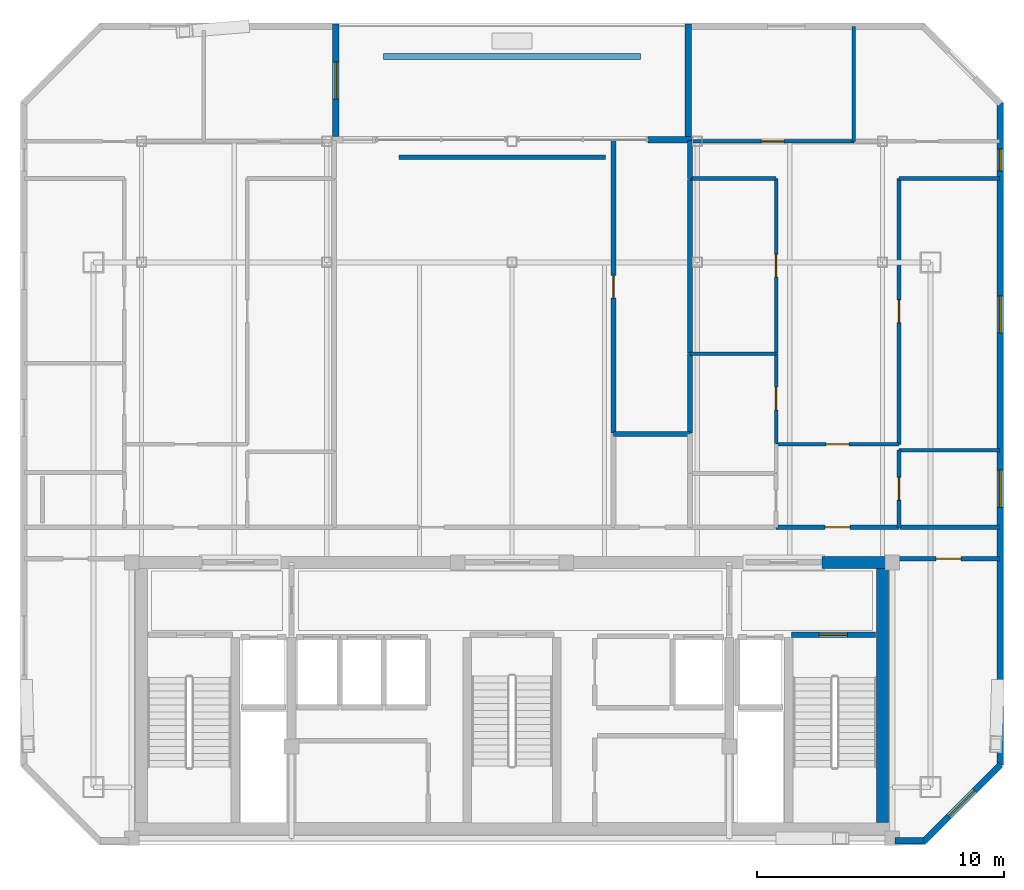
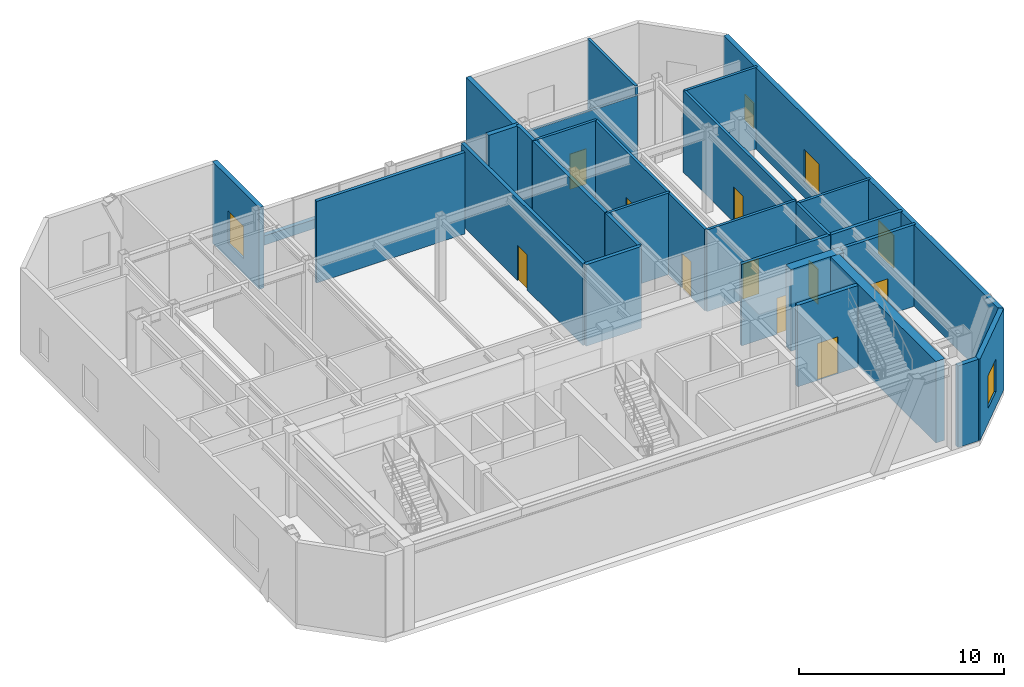
# One storey, part 9 of 11: 30 walls, 10 doors, 5 windows, 15 openings.
"""IFC4 building model written with IfcOpenShell, lengths in metres."""

from ifc_helpers import new_model, si_unit, direction, frame, frame_2d, origin, place, context, subcontext, project, spatial, rectangle, extrude, material, layer, layer_set, type_object, element, fill, save


model = new_model("IFC4")

# Units and contexts
model_context = context("Model", 3, precision=1e-05, world=origin(), true_north=direction((0.0, 1.0)))
body_context = subcontext(model_context, "Body", "Model", "MODEL_VIEW")
ifc_project = project(units=[si_unit("LENGTHUNIT", "METRE"), si_unit("AREAUNIT", "SQUARE_METRE"), si_unit("VOLUMEUNIT", "CUBIC_METRE"), si_unit("PLANEANGLEUNIT", "RADIAN"), si_unit("MASSUNIT", "GRAM", prefix="KILO")], contexts=[model_context])

# Site, building, storey
site_placement = place(None, origin())
site = spatial("IfcSite", under=ifc_project, at=site_placement, CompositionType="ELEMENT")
building_placement = place(site_placement, origin())
building = spatial("IfcBuilding", under=site, at=building_placement, Name="Ventersveld Concourse Tower", CompositionType="ELEMENT")
storey_placement = place(building_placement, frame((0.0, 0.0, 308.0)))
storey = spatial("IfcBuildingStorey", under=building, at=storey_placement, Name="L76", CompositionType="ELEMENT", Elevation=308.0)

# Walls
ifc_material_1 = material(Name="Concrete C50/60", Category="concrete")
ifc_layer_1 = layer(ifc_material_1, 0.5)
ifc_layer_set_1 = layer_set([ifc_layer_1], Name="Concrete C50/60")
wall_type_1 = type_object("IfcWallType", Name="WL-CORE-500", PredefinedType="SHEAR", material=ifc_layer_set_1)
wall_1_placement = place(storey_placement, frame((43.75, 0.919921875, 0.0), z_axis=(0.0, 0.0, 1.0), x_axis=(0.0, 1.0, 0.0)))
element("IfcWall", 1, at=wall_1_placement, inside=storey, type_object=wall_type_1, Name="L76 Rear Core East Shear Wall", PredefinedType="SHEAR", context=body_context, shape_type="SweptSolid", body=[
    extrude(rectangle(XDim=10.530029296875, YDim=0.5, at=frame_2d((5.26513671875, 0.0))), origin(), (0.0, 0.0, 1.0), 4.85009765625),
])
wall_2_placement = place(storey_placement, frame((41.300048828125, 11.449951171875, 0.0), z_axis=(0.0, 0.0, 1.0), x_axis=(1.0, 0.0, 0.0)))
element("IfcWall", 2, at=wall_2_placement, inside=storey, type_object=wall_type_1, Name="L76 Rear Core North Shear Wall NE", PredefinedType="SHEAR", context=body_context, shape_type="SweptSolid", body=[
    extrude(rectangle(XDim=2.949951171875, YDim=0.5, at=frame_2d((1.47509765625, 0.0))), origin(), (0.0, 0.0, 1.0), 4.85009765625),
])

# Wall, opening, door
ifc_material_2 = material(Name="Fire-rated autoclaved aerated masonry blockwork", Category="masonry")
ifc_layer_2 = layer(ifc_material_2, 0.179931640625)
ifc_layer_set_2 = layer_set([ifc_layer_2], Name="Fire-rated autoclaved aerated masonry blockwork")
wall_type_2 = type_object("IfcWallType", Name="WL-CORR-180", PredefinedType="PARTITIONING", material=ifc_layer_set_2)
wall_3_placement = place(storey_placement, frame((44.35498046875, 11.60009765625, 0.0), z_axis=(0.0, 0.0, 1.0), x_axis=(1.0, 0.0, 0.0)))
wall_3 = element("IfcWall", 3, at=wall_3_placement, inside=storey, type_object=wall_type_2, Name="L76 Interior Partition SP-L76-SE-OFF-SP-L76-COR", PredefinedType="PARTITIONING", context=body_context, shape_type="SweptSolid", body=[
    extrude(rectangle(XDim=4.144775390625, YDim=0.179931640625, at=frame_2d((2.072265625, 0.0))), origin(), (0.0, 0.0, 1.0), 4.85009765625),
])
opening_1_placement = place(wall_3_placement, frame((1.572509765625, 0.0, 0.0)))
opening_1 = element("IfcOpeningElement", 4, at=opening_1_placement, cuts=wall_3, Name="Opening FD3", PredefinedType="OPENING", context=body_context, shape_type="SweptSolid", body=[
    extrude(rectangle(XDim=1.0, YDim=2.14990234375, at=frame_2d((0.5, 1.074951171875))), frame((0.0, 0.10009765625, 0.0), z_axis=(0.0, -1.0, 0.0), x_axis=(1.0, 0.0, 0.0)), (0.0, 0.0, 1.0), 0.199951171875),
])
ifc_material_3 = material(Name="Solid-core hardwood veneer timber", Category="wood")
door_type_1 = type_object("IfcDoorType", Name="DR-FLAT-100", OperationType="NOTDEFINED", PredefinedType="DOOR", material=ifc_material_3)
door_1_placement = place(opening_1_placement, origin())
door_1 = element("IfcDoor", 5, at=door_1_placement, inside=storey, type_object=door_type_1, Name="L76 Interior Door SP-L76-SE-OFF to SP-L76-COR (D-L76-3491)", OperationType="SINGLE_SWING_LEFT", OverallHeight=2.14990234375, OverallWidth=1.0, PredefinedType="DOOR", context=body_context, shape_type="SweptSolid", body=[
    extrude(rectangle(XDim=1.0, YDim=2.14990234375, at=frame_2d((0.5, 1.074951171875))), frame((0.0, 0.02490234375, 0.0), z_axis=(0.0, -1.0, 0.0), x_axis=(1.0, 0.0, 0.0)), (0.0, 0.0, 1.0), 0.050048828125),
])
fill(opening_1, door_1)

wall_4_placement = place(storey_placement, frame((39.43896484375, 12.8798828125, 0.0), z_axis=(0.0, 0.0, 1.0), x_axis=(1.0, 0.0, 0.0)))
wall_4 = element("IfcWall", 6, at=wall_4_placement, inside=storey, type_object=wall_type_2, Name="L76 Interior Partition SP-L76-COR-SP-L76-76CE-FOY", PredefinedType="PARTITIONING", context=body_context, shape_type="SweptSolid", body=[
    extrude(rectangle(XDim=4.989990234375, YDim=0.179931640625, at=frame_2d((2.4951171875, 0.0))), origin(), (0.0, 0.0, 1.0), 4.85009765625),
])
opening_2_placement = place(wall_4_placement, frame((1.9951171875, 0.0, 0.0)))
opening_2 = element("IfcOpeningElement", 7, at=opening_2_placement, cuts=wall_4, Name="Opening FD3", PredefinedType="OPENING", context=body_context, shape_type="SweptSolid", body=[
    extrude(rectangle(XDim=1.0, YDim=2.14990234375, at=frame_2d((0.5, 1.074951171875))), frame((0.0, 0.10009765625, 0.0), z_axis=(0.0, -1.0, 0.0), x_axis=(1.0, 0.0, 0.0)), (0.0, 0.0, 1.0), 0.199951171875),
])
door_2_placement = place(opening_2_placement, origin())
door_2 = element("IfcDoor", 8, at=door_2_placement, inside=storey, type_object=door_type_1, Name="L76 Interior Door SP-L76-COR to SP-L76-76CE-FOY (FD-L76-3495)", OperationType="SINGLE_SWING_LEFT", OverallHeight=2.14990234375, OverallWidth=1.0, PredefinedType="DOOR", context=body_context, shape_type="SweptSolid", body=[
    extrude(rectangle(XDim=1.0, YDim=2.14990234375, at=frame_2d((0.5, 1.074951171875))), frame((0.0, 0.02490234375, 0.0), z_axis=(0.0, -1.0, 0.0), x_axis=(1.0, 0.0, 0.0)), (0.0, 0.0, 1.0), 0.050048828125),
])
fill(opening_2, door_2)

# Walls
wall_5_placement = place(storey_placement, frame((44.458984375, 12.8798828125, 0.0), z_axis=(0.0, 0.0, 1.0), x_axis=(1.0, 0.0, 0.0)))
element("IfcWall", 9, at=wall_5_placement, inside=storey, type_object=wall_type_2, Name="L76 Interior Partition SP-L76-COR-SP-L76-76CE-KIT", PredefinedType="PARTITIONING", context=body_context, shape_type="SweptSolid", body=[
    extrude(rectangle(XDim=4.040771484375, YDim=0.179931640625, at=frame_2d((2.0205078125, 0.0))), origin(), (0.0, 0.0, 1.0), 4.85009765625),
])
wall_6_placement = place(storey_placement, frame((24.182861328125, 27.85302734375, 0.0), z_axis=(0.0, 0.0, 1.0), x_axis=(1.0, 0.0, 0.0)))
element("IfcWall", 10, at=wall_6_placement, inside=storey, type_object=wall_type_2, Name="L76 Room Enclosure Wall SP-L76-SGLNG", PredefinedType="PARTITIONING", context=body_context, shape_type="SweptSolid", body=[
    extrude(rectangle(XDim=8.35205078125, YDim=0.179931640625, at=frame_2d((4.176025390625, 0.0))), origin(), (0.0, 0.0, 1.0), 4.85009765625),
])

# Wall, opening, door
ifc_layer_3 = layer(ifc_material_2, 0.199951171875)
ifc_layer_set_3 = layer_set([ifc_layer_3], Name="Fire-rated autoclaved aerated masonry blockwork")
wall_type_3 = type_object("IfcWallType", Name="WL-DEMISE-200", PredefinedType="PARTITIONING", material=ifc_layer_set_3)
wall_7_placement = place(storey_placement, frame((32.860107421875, 16.68505859375, 0.0), z_axis=(0.0, 0.0, 1.0), x_axis=(0.0, 1.0, 0.0)))
wall_7 = element("IfcWall", 11, at=wall_7_placement, inside=storey, type_object=wall_type_3, Name="L76 Interior Partition SP-L76-SGLNG-SP-L76-SGSTD", PredefinedType="PARTITIONING", context=body_context, shape_type="SweptSolid", body=[
    extrude(rectangle(XDim=11.860107421875, YDim=0.199951171875, at=frame_2d((5.93017578125, 0.0))), origin(), (0.0, 0.0, 1.0), 4.85009765625),
])
opening_3_placement = place(wall_7_placement, frame((5.469970703125, 0.0, 0.0)))
opening_3 = element("IfcOpeningElement", 12, at=opening_3_placement, cuts=wall_7, Name="Opening ID1", PredefinedType="OPENING", context=body_context, shape_type="SweptSolid", body=[
    extrude(rectangle(XDim=0.919921875, YDim=2.10009765625, at=frame_2d((0.4599609375, 1.050048828125))), frame((0.0, 0.10986328125, 0.0), z_axis=(0.0, -1.0, 0.0), x_axis=(1.0, 0.0, 0.0)), (0.0, 0.0, 1.0), 0.219970703125),
])
door_type_2 = type_object("IfcDoorType", Name="DR-ROOM-092", OperationType="NOTDEFINED", PredefinedType="DOOR", material=ifc_material_3)
door_3_placement = place(opening_3_placement, origin())
door_3 = element("IfcDoor", 13, at=door_3_placement, inside=storey, type_object=door_type_2, Name="L76 Interior Door SP-L76-SGLNG to SP-L76-SGSTD (D-L76-3496)", OperationType="SINGLE_SWING_RIGHT", OverallHeight=2.10009765625, OverallWidth=0.919921875, PredefinedType="DOOR", context=body_context, shape_type="SweptSolid", body=[
    extrude(rectangle(XDim=0.919921875, YDim=2.10009765625, at=frame_2d((0.4599609375, 1.050048828125))), frame((0.0, 0.02490234375, 0.0), z_axis=(0.0, -1.0, 0.0), x_axis=(1.0, 0.0, 0.0)), (0.0, 0.0, 1.0), 0.050048828125),
])
fill(opening_3, door_3)

# Walls
wall_8_placement = place(storey_placement, frame((32.85498046875, 16.64990234375, 0.0), z_axis=(0.0, 0.0, 1.0), x_axis=(1.0, 0.0, 0.0)))
element("IfcWall", 14, at=wall_8_placement, inside=storey, type_object=wall_type_3, Name="L76 Interior Partition SP-L76-SGAWC-SP-L76-SGSTD", PredefinedType="PARTITIONING", context=body_context, shape_type="SweptSolid", body=[
    extrude(rectangle(XDim=3.110107421875, YDim=0.199951171875, at=frame_2d((1.55517578125, 0.0))), origin(), (0.0, 0.0, 1.0), 4.85009765625),
])
wall_9_placement = place(storey_placement, frame((35.9599609375, 26.9951171875, 0.0), z_axis=(0.0, 0.0, 1.0), x_axis=(0.0, 1.0, 0.0)))
element("IfcWall", 15, at=wall_9_placement, inside=storey, type_object=wall_type_3, Name="L76 Interior Partition SP-L76-SGSTD-SP-L76-76CE-LIV", PredefinedType="PARTITIONING", context=body_context, shape_type="SweptSolid", body=[
    extrude(rectangle(XDim=1.548583984375, YDim=0.199951171875, at=frame_2d((0.7744140625, 0.0))), origin(), (0.0, 0.0, 1.0), 4.85009765625),
])
wall_10_placement = place(storey_placement, frame((35.9599609375, 16.68505859375, 0.0), z_axis=(0.0, 0.0, 1.0), x_axis=(0.0, 1.0, 0.0)))
element("IfcWall", 16, at=wall_10_placement, inside=storey, type_object=wall_type_3, Name="L76 Interior Partition SP-L76-SGSTD-SP-L76-76CE-MEDL0", PredefinedType="PARTITIONING", context=body_context, shape_type="SweptSolid", body=[
    extrude(rectangle(XDim=3.216796875, YDim=0.199951171875, at=frame_2d((1.6083984375, 0.0))), origin(), (0.0, 0.0, 1.0), 4.85009765625),
])
wall_11_placement = place(storey_placement, frame((35.9599609375, 19.931884765625, 0.0), z_axis=(0.0, 0.0, 1.0), x_axis=(0.0, 1.0, 0.0)))
element("IfcWall", 17, at=wall_11_placement, inside=storey, type_object=wall_type_3, Name="L76 Interior Partition SP-L76-SGSTD-SP-L76-76CE-OFFL2", PredefinedType="PARTITIONING", context=body_context, shape_type="SweptSolid", body=[
    extrude(rectangle(XDim=7.033203125, YDim=0.199951171875, at=frame_2d((3.5166015625, 0.0))), origin(), (0.0, 0.0, 1.0), 4.85009765625),
])

# Wall, opening, door
ifc_layer_4 = layer(ifc_material_2, 0.219970703125)
ifc_layer_set_4 = layer_set([ifc_layer_4], Name="Fire-rated autoclaved aerated masonry blockwork")
wall_type_4 = type_object("IfcWallType", Name="WL-HOIST-220", PredefinedType="SOLIDWALL", material=ifc_layer_set_4)
wall_12_placement = place(storey_placement, frame((40.06005859375, 8.52001953125, 0.0), z_axis=(0.0, 0.0, 1.0), x_axis=(1.0, 0.0, 0.0)))
wall_12 = element("IfcWall", 18, at=wall_12_placement, inside=storey, type_object=wall_type_4, Name="L76 Escape Stair ST02 Fire Wall", PredefinedType="SOLIDWALL", context=body_context, shape_type="SweptSolid", body=[
    extrude(rectangle(XDim=3.39990234375, YDim=0.219970703125, at=frame_2d((1.699951171875, 0.0))), origin(), (0.0, 0.0, 1.0), 4.85009765625),
])
opening_4_placement = place(wall_12_placement, frame((1.125, 0.0, 0.0)))
opening_4 = element("IfcOpeningElement", 19, at=opening_4_placement, cuts=wall_12, Name="Opening FD1", PredefinedType="OPENING", context=body_context, shape_type="SweptSolid", body=[
    extrude(rectangle(XDim=1.14990234375, YDim=2.199951171875, at=frame_2d((0.574951171875, 1.10009765625))), frame((0.0, 0.1201171875, 0.0), z_axis=(0.0, -1.0, 0.0), x_axis=(1.0, 0.0, 0.0)), (0.0, 0.0, 1.0), 0.239990234375),
])
ifc_material_4 = material(Name="Galvanised painted steel", Category="steel")
door_type_3 = type_object("IfcDoorType", Name="DR-STAIR-115", OperationType="NOTDEFINED", PredefinedType="DOOR", material=ifc_material_4)
door_4_placement = place(opening_4_placement, origin())
door_4 = element("IfcDoor", 20, at=door_4_placement, inside=storey, type_object=door_type_3, Name="L76 Escape Stair Door ST02 (SD-L76-3480)", OperationType="SINGLE_SWING_RIGHT", OverallHeight=2.199951171875, OverallWidth=1.14990234375, PredefinedType="DOOR", context=body_context, shape_type="SweptSolid", body=[
    extrude(rectangle(XDim=1.14990234375, YDim=2.199951171875, at=frame_2d((0.574951171875, 1.10009765625))), frame((0.0, 0.02490234375, 0.0), z_axis=(0.0, -1.0, 0.0), x_axis=(1.0, 0.0, 0.0)), (0.0, 0.0, 1.0), 0.050048828125),
])
fill(opening_4, door_4)

ifc_material_5 = material(Name="Autoclaved aerated masonry blockwork", Category="masonry")
ifc_layer_5 = layer(ifc_material_5, 0.14990234375)
ifc_layer_set_5 = layer_set([ifc_layer_5], Name="Autoclaved aerated masonry blockwork")
wall_type_5 = type_object("IfcWallType", Name="WL-INT-150", PredefinedType="PARTITIONING", material=ifc_layer_set_5)
wall_13_placement = place(storey_placement, frame((39.43896484375, 16.236083984375, 0.0), z_axis=(0.0, 0.0, 1.0), x_axis=(1.0, 0.0, 0.0)))
wall_13 = element("IfcWall", 21, at=wall_13_placement, inside=storey, type_object=wall_type_5, Name="L76 Interior Partition SP-L76-76CE-FOY-SP-L76-76CE-LIV", PredefinedType="PARTITIONING", context=body_context, shape_type="SweptSolid", body=[
    extrude(rectangle(XDim=4.989990234375, YDim=0.14990234375, at=frame_2d((2.4951171875, 0.0))), origin(), (0.0, 0.0, 1.0), 4.85009765625),
])
opening_5_placement = place(wall_13_placement, frame((2.034912109375, 0.0, 0.0)))
opening_5 = element("IfcOpeningElement", 22, at=opening_5_placement, cuts=wall_13, Name="Opening ID1", PredefinedType="OPENING", context=body_context, shape_type="SweptSolid", body=[
    extrude(rectangle(XDim=0.919921875, YDim=2.10009765625, at=frame_2d((0.4599609375, 1.050048828125))), frame((0.0, 0.0849609375, 0.0), z_axis=(0.0, -1.0, 0.0), x_axis=(1.0, 0.0, 0.0)), (0.0, 0.0, 1.0), 0.169921875),
])
door_5_placement = place(opening_5_placement, origin())
door_5 = element("IfcDoor", 23, at=door_5_placement, inside=storey, type_object=door_type_2, Name="L76 Interior Door SP-L76-76CE-FOY to SP-L76-76CE-LIV (D-L76-3505)", OperationType="SINGLE_SWING_LEFT", OverallHeight=2.10009765625, OverallWidth=0.919921875, PredefinedType="DOOR", context=body_context, shape_type="SweptSolid", body=[
    extrude(rectangle(XDim=0.919921875, YDim=2.10009765625, at=frame_2d((0.4599609375, 1.050048828125))), frame((0.0, 0.02490234375, 0.0), z_axis=(0.0, -1.0, 0.0), x_axis=(1.0, 0.0, 0.0)), (0.0, 0.0, 1.0), 0.050048828125),
])
fill(opening_5, door_5)

wall_14_placement = place(storey_placement, frame((44.424072265625, 12.864990234375, 0.0), z_axis=(0.0, 0.0, 1.0), x_axis=(0.0, 1.0, 0.0)))
wall_14 = element("IfcWall", 24, at=wall_14_placement, inside=storey, type_object=wall_type_5, Name="L76 Interior Partition SP-L76-76CE-FOY-SP-L76-76CE-KIT", PredefinedType="PARTITIONING", context=body_context, shape_type="SweptSolid", body=[
    extrude(rectangle(XDim=3.13916015625, YDim=0.14990234375, at=frame_2d((1.569580078125, 0.0))), origin(), (0.0, 0.0, 1.0), 4.85009765625),
])
opening_6_placement = place(wall_14_placement, frame((1.109619140625, 0.0, 0.0)))
opening_6 = element("IfcOpeningElement", 25, at=opening_6_placement, cuts=wall_14, Name="Opening ID1", PredefinedType="OPENING", context=body_context, shape_type="SweptSolid", body=[
    extrude(rectangle(XDim=0.919921875, YDim=2.10009765625, at=frame_2d((0.4599609375, 1.050048828125))), frame((0.0, 0.0849609375, 0.0), z_axis=(0.0, -1.0, 0.0), x_axis=(1.0, 0.0, 0.0)), (0.0, 0.0, 1.0), 0.169921875),
])
door_6_placement = place(opening_6_placement, origin())
door_6 = element("IfcDoor", 26, at=door_6_placement, inside=storey, type_object=door_type_2, Name="L76 Interior Door SP-L76-76CE-FOY to SP-L76-76CE-KIT (D-L76-3507)", OperationType="SINGLE_SWING_LEFT", OverallHeight=2.10009765625, OverallWidth=0.919921875, PredefinedType="DOOR", context=body_context, shape_type="SweptSolid", body=[
    extrude(rectangle(XDim=0.919921875, YDim=2.10009765625, at=frame_2d((0.4599609375, 1.050048828125))), frame((0.0, 0.02490234375, 0.0), z_axis=(0.0, -1.0, 0.0), x_axis=(1.0, 0.0, 0.0)), (0.0, 0.0, 1.0), 0.050048828125),
])
fill(opening_6, door_6)

wall_15_placement = place(storey_placement, frame((39.444091796875, 16.27099609375, 0.0), z_axis=(0.0, 0.0, 1.0), x_axis=(0.0, 1.0, 0.0)))
wall_15 = element("IfcWall", 27, at=wall_15_placement, inside=storey, type_object=wall_type_5, Name="L76 Interior Partition SP-L76-76CE-LIV-SP-L76-76CE-MEDL0", PredefinedType="PARTITIONING", context=body_context, shape_type="SweptSolid", body=[
    extrude(rectangle(XDim=3.630859375, YDim=0.14990234375, at=frame_2d((1.8154296875, 0.0))), origin(), (0.0, 0.0, 1.0), 4.85009765625),
])
opening_7_placement = place(wall_15_placement, frame((1.35546875, 0.0, 0.0)))
opening_7 = element("IfcOpeningElement", 28, at=opening_7_placement, cuts=wall_15, Name="Opening ID1", PredefinedType="OPENING", context=body_context, shape_type="SweptSolid", body=[
    extrude(rectangle(XDim=0.919921875, YDim=2.10009765625, at=frame_2d((0.4599609375, 1.050048828125))), frame((0.0, 0.0849609375, 0.0), z_axis=(0.0, -1.0, 0.0), x_axis=(1.0, 0.0, 0.0)), (0.0, 0.0, 1.0), 0.169921875),
])
door_7_placement = place(opening_7_placement, origin())
door_7 = element("IfcDoor", 29, at=door_7_placement, inside=storey, type_object=door_type_2, Name="L76 Interior Door SP-L76-76CE-LIV to SP-L76-76CE-MEDL0 (D-L76-3508)", OperationType="SINGLE_SWING_RIGHT", OverallHeight=2.10009765625, OverallWidth=0.919921875, PredefinedType="DOOR", context=body_context, shape_type="SweptSolid", body=[
    extrude(rectangle(XDim=0.919921875, YDim=2.10009765625, at=frame_2d((0.4599609375, 1.050048828125))), frame((0.0, 0.02490234375, 0.0), z_axis=(0.0, -1.0, 0.0), x_axis=(1.0, 0.0, 0.0)), (0.0, 0.0, 1.0), 0.050048828125),
])
fill(opening_7, door_7)

wall_16_placement = place(storey_placement, frame((39.444091796875, 19.931884765625, 0.0), z_axis=(0.0, 0.0, 1.0), x_axis=(0.0, 1.0, 0.0)))
wall_16 = element("IfcWall", 30, at=wall_16_placement, inside=storey, type_object=wall_type_5, Name="L76 Interior Partition SP-L76-76CE-LIV-SP-L76-76CE-OFFL2", PredefinedType="PARTITIONING", context=body_context, shape_type="SweptSolid", body=[
    extrude(rectangle(XDim=7.072998046875, YDim=0.14990234375, at=frame_2d((3.53662109375, 0.0))), origin(), (0.0, 0.0, 1.0), 4.85009765625),
])
opening_8_placement = place(wall_16_placement, frame((3.076416015625, 0.0, 0.0)))
opening_8 = element("IfcOpeningElement", 31, at=opening_8_placement, cuts=wall_16, Name="Opening ID1", PredefinedType="OPENING", context=body_context, shape_type="SweptSolid", body=[
    extrude(rectangle(XDim=0.919921875, YDim=2.10009765625, at=frame_2d((0.4599609375, 1.050048828125))), frame((0.0, 0.0849609375, 0.0), z_axis=(0.0, -1.0, 0.0), x_axis=(1.0, 0.0, 0.0)), (0.0, 0.0, 1.0), 0.169921875),
])
door_8_placement = place(opening_8_placement, origin())
door_8 = element("IfcDoor", 32, at=door_8_placement, inside=storey, type_object=door_type_2, Name="L76 Interior Door SP-L76-76CE-LIV to SP-L76-76CE-OFFL2 (D-L76-3509)", OperationType="SINGLE_SWING_LEFT", OverallHeight=2.10009765625, OverallWidth=0.919921875, PredefinedType="DOOR", context=body_context, shape_type="SweptSolid", body=[
    extrude(rectangle(XDim=0.919921875, YDim=2.10009765625, at=frame_2d((0.4599609375, 1.050048828125))), frame((0.0, 0.02490234375, 0.0), z_axis=(0.0, -1.0, 0.0), x_axis=(1.0, 0.0, 0.0)), (0.0, 0.0, 1.0), 0.050048828125),
])
fill(opening_8, door_8)

# Wall
wall_17_placement = place(storey_placement, frame((35.955078125, 27.0, 0.0), z_axis=(0.0, 0.0, 1.0), x_axis=(1.0, 0.0, 0.0)))
element("IfcWall", 33, at=wall_17_placement, inside=storey, type_object=wall_type_5, Name="L76 Interior Partition SP-L76-76CE-LIV-SP-L76-76CE-OFFL2", PredefinedType="PARTITIONING", context=body_context, shape_type="SweptSolid", body=[
    extrude(rectangle(XDim=3.493896484375, YDim=0.14990234375, at=frame_2d((1.7470703125, 0.0))), origin(), (0.0, 0.0, 1.0), 4.85009765625),
])

# Wall, opening, door
wall_18_placement = place(storey_placement, frame((44.424072265625, 16.231201171875, 0.0), z_axis=(0.0, 0.0, 1.0), x_axis=(0.0, 1.0, 0.0)))
wall_18 = element("IfcWall", 34, at=wall_18_placement, inside=storey, type_object=wall_type_5, Name="L76 Interior Partition SP-L76-76CE-LIV-SP-L76-76CE-SEMR1", PredefinedType="PARTITIONING", context=body_context, shape_type="SweptSolid", body=[
    extrude(rectangle(XDim=10.773681640625, YDim=0.14990234375, at=frame_2d((5.38671875, 0.0))), origin(), (0.0, 0.0, 1.0), 4.85009765625),
])
opening_9_placement = place(wall_18_placement, frame((4.927001953125, 0.0, 0.0)))
opening_9 = element("IfcOpeningElement", 35, at=opening_9_placement, cuts=wall_18, Name="Opening ID1", PredefinedType="OPENING", context=body_context, shape_type="SweptSolid", body=[
    extrude(rectangle(XDim=0.919921875, YDim=2.10009765625, at=frame_2d((0.4599609375, 1.050048828125))), frame((0.0, 0.0849609375, 0.0), z_axis=(0.0, -1.0, 0.0), x_axis=(1.0, 0.0, 0.0)), (0.0, 0.0, 1.0), 0.169921875),
])
door_9_placement = place(opening_9_placement, origin())
door_9 = element("IfcDoor", 36, at=door_9_placement, inside=storey, type_object=door_type_2, Name="L76 Interior Door SP-L76-76CE-LIV to SP-L76-76CE-SEMR1 (D-L76-3510)", OperationType="SINGLE_SWING_RIGHT", OverallHeight=2.10009765625, OverallWidth=0.919921875, PredefinedType="DOOR", context=body_context, shape_type="SweptSolid", body=[
    extrude(rectangle(XDim=0.919921875, YDim=2.10009765625, at=frame_2d((0.4599609375, 1.050048828125))), frame((0.0, 0.02490234375, 0.0), z_axis=(0.0, -1.0, 0.0), x_axis=(1.0, 0.0, 0.0)), (0.0, 0.0, 1.0), 0.050048828125),
])
fill(opening_9, door_9)

# Wall
wall_19_placement = place(storey_placement, frame((44.4189453125, 27.0, 0.0), z_axis=(0.0, 0.0, 1.0), x_axis=(1.0, 0.0, 0.0)))
element("IfcWall", 37, at=wall_19_placement, inside=storey, type_object=wall_type_5, Name="L76 Interior Partition SP-L76-76CE-LIV-SP-L76-76CE-SEMR1", PredefinedType="PARTITIONING", context=body_context, shape_type="SweptSolid", body=[
    extrude(rectangle(XDim=4.080810546875, YDim=0.14990234375, at=frame_2d((2.04052734375, 0.0))), origin(), (0.0, 0.0, 1.0), 4.85009765625),
])

# Wall, opening, door
wall_20_placement = place(storey_placement, frame((36.01318359375, 28.5, 0.0), z_axis=(0.0, 0.0, 1.0), x_axis=(1.0, 0.0, 0.0)))
wall_20 = element("IfcWall", 38, at=wall_20_placement, inside=storey, type_object=wall_type_5, Name="L76 Interior Partition SP-L76-76CE-LIV-SP-L76-76CE-BR1", PredefinedType="PARTITIONING", context=body_context, shape_type="SweptSolid", body=[
    extrude(rectangle(XDim=6.580322265625, YDim=0.14990234375, at=frame_2d((3.2900390625, 0.0))), origin(), (0.0, 0.0, 1.0), 4.31689453125),
])
opening_10_placement = place(wall_20_placement, frame((2.830078125, 0.0, 0.0)))
opening_10 = element("IfcOpeningElement", 39, at=opening_10_placement, cuts=wall_20, Name="Opening ID1", PredefinedType="OPENING", context=body_context, shape_type="SweptSolid", body=[
    extrude(rectangle(XDim=0.919921875, YDim=2.10009765625, at=frame_2d((0.4599609375, 1.050048828125))), frame((0.0, 0.0849609375, 0.0), z_axis=(0.0, -1.0, 0.0), x_axis=(1.0, 0.0, 0.0)), (0.0, 0.0, 1.0), 0.169921875),
])
door_10_placement = place(opening_10_placement, origin())
door_10 = element("IfcDoor", 40, at=door_10_placement, inside=storey, type_object=door_type_2, Name="L76 Interior Door SP-L76-76CE-LIV to SP-L76-76CE-BR1 (D-L76-3511)", OperationType="SINGLE_SWING_LEFT", OverallHeight=2.10009765625, OverallWidth=0.919921875, PredefinedType="DOOR", context=body_context, shape_type="SweptSolid", body=[
    extrude(rectangle(XDim=0.919921875, YDim=2.10009765625, at=frame_2d((0.4599609375, 1.050048828125))), frame((0.0, 0.02490234375, 0.0), z_axis=(0.0, -1.0, 0.0), x_axis=(1.0, 0.0, 0.0)), (0.0, 0.0, 1.0), 0.050048828125),
])
fill(opening_10, door_10)

# Walls
wall_21_placement = place(storey_placement, frame((35.955078125, 19.89697265625, 0.0), z_axis=(0.0, 0.0, 1.0), x_axis=(1.0, 0.0, 0.0)))
element("IfcWall", 41, at=wall_21_placement, inside=storey, type_object=wall_type_5, Name="L76 Interior Partition SP-L76-76CE-MEDL0-SP-L76-76CE-OFFL2", PredefinedType="PARTITIONING", context=body_context, shape_type="SweptSolid", body=[
    extrude(rectangle(XDim=3.493896484375, YDim=0.14990234375, at=frame_2d((1.7470703125, 0.0))), origin(), (0.0, 0.0, 1.0), 4.85009765625),
])
wall_22_placement = place(storey_placement, frame((44.4189453125, 15.9990234375, 0.0), z_axis=(0.0, 0.0, 1.0), x_axis=(1.0, 0.0, 0.0)))
element("IfcWall", 42, at=wall_22_placement, inside=storey, type_object=wall_type_5, Name="L76 Interior Partition SP-L76-76CE-KIT-SP-L76-76CE-SEMR1", PredefinedType="PARTITIONING", context=body_context, shape_type="SweptSolid", body=[
    extrude(rectangle(XDim=4.080810546875, YDim=0.14990234375, at=frame_2d((2.04052734375, 0.0))), origin(), (0.0, 0.0, 1.0), 4.85009765625),
])
wall_23_placement = place(storey_placement, frame((42.58837890625, 28.4951171875, 0.0), z_axis=(0.0, 0.0, 1.0), x_axis=(0.0, 1.0, 0.0)))
element("IfcWall", 43, at=wall_23_placement, inside=storey, type_object=wall_type_5, Name="L76 Interior Partition SP-L76-76CE-BR1-SP-L76-76CE-BR2", PredefinedType="PARTITIONING", context=body_context, shape_type="SweptSolid", body=[
    extrude(rectangle(XDim=4.6484375, YDim=0.14990234375, at=frame_2d((2.32421875, 0.0))), origin(), (0.0, 0.0, 1.0), 4.85009765625),
])
ifc_material_6 = material(Name="Precast concrete C45/55", Category="concrete")
ifc_layer_6 = layer(ifc_material_6, 0.239990234375)
ifc_layer_set_6 = layer_set([ifc_layer_6], Name="Precast concrete C45/55")
wall_type_6 = type_object("IfcWallType", Name="WL-KERB-240", PredefinedType="PARAPET", material=ifc_layer_set_6)
wall_24_placement = place(storey_placement, frame((23.550048828125, 31.943115234375, 0.0), z_axis=(0.0, 0.0, 1.0), x_axis=(1.0, 0.0, 0.0)))
element("IfcWall", 44, at=wall_24_placement, inside=storey, type_object=wall_type_6, Name="L76 Landscaped Terrace Planter Kerb SKYGARDEN", PredefinedType="PARAPET", context=body_context, shape_type="SweptSolid", body=[
    extrude(rectangle(XDim=10.39990234375, YDim=0.239990234375, at=frame_2d((5.199951171875, 0.0))), origin(), (0.0, 0.0, 1.0), 0.550048828125),
])
ifc_layer_7 = layer(ifc_material_6, 0.260009765625)
ifc_layer_set_7 = layer_set([ifc_layer_7], Name="Precast concrete C45/55")
wall_type_7 = type_object("IfcWallType", Name="WL-PREC-260", PredefinedType="SOLIDWALL", material=ifc_layer_set_7)
wall_25_placement = place(storey_placement, frame((44.25, 0.179931640625, 0.0), z_axis=(0.0, 0.0, 1.0), x_axis=(1.0, 0.0, 0.0)))
element("IfcWall", 45, at=wall_25_placement, inside=storey, type_object=wall_type_7, Name="L76 South-East Flank Precast Wall", PredefinedType="SOLIDWALL", context=body_context, shape_type="SweptSolid", body=[
    extrude(rectangle(XDim=1.1591796875, YDim=0.260009765625, at=frame_2d((0.57958984375, 0.0))), origin(), (0.0, 0.0, 1.0), 4.85009765625),
])

# Wall, opening, window
wall_26_placement = place(storey_placement, frame((45.385498046875, 0.1201171875, 0.0), z_axis=(0.0, 0.0, 1.0), x_axis=(0.707106781187, 0.707106781187, 0.0)))
wall_26 = element("IfcWall", 46, at=wall_26_placement, inside=storey, type_object=wall_type_7, Name="L76 Highveld Precast Facade Wall E02", PredefinedType="SOLIDWALL", context=body_context, shape_type="SweptSolid", body=[
    extrude(rectangle(XDim=4.445556640625, YDim=0.260009765625, at=frame_2d((2.22265625, 0.0))), origin(), (0.0, 0.0, 1.0), 4.85009765625),
])
opening_11_placement = place(wall_26_placement, frame((1.47265625, 0.0, 0.89990234375)))
opening_11 = element("IfcOpeningElement", 47, at=opening_11_placement, cuts=wall_26, Name="Opening W1", PredefinedType="OPENING", context=body_context, shape_type="SweptSolid", body=[
    extrude(rectangle(XDim=1.5, YDim=1.949951171875, at=frame_2d((0.75, 0.97509765625))), frame((0.0, 0.14013671875, 0.0), z_axis=(0.0, -1.0, 0.0), x_axis=(1.0, 0.0, 0.0)), (0.0, 0.0, 1.0), 0.280029296875),
])
ifc_material_7 = material(Name="Tempered acoustic Low-E IGU", Category="glass")
window_type_1 = type_object("IfcWindowType", Name="WIN-150x210", PartitioningType="SINGLE_PANEL", PredefinedType="WINDOW", material=ifc_material_7)
window_1_placement = place(opening_11_placement, origin())
window_1 = element("IfcWindow", 48, at=window_1_placement, inside=storey, type_object=window_type_1, Name="L76 Punched Low-E Window W-1079", OverallHeight=1.949951171875, OverallWidth=1.5, PartitioningType="SINGLE_PANEL", PredefinedType="WINDOW", context=body_context, shape_type="SweptSolid", body=[
    extrude(rectangle(XDim=1.5, YDim=1.949951171875, at=frame_2d((0.75, 0.97509765625))), frame((0.0, 0.030029296875, 0.0), z_axis=(0.0, -1.0, 0.0), x_axis=(1.0, 0.0, 0.0)), (0.0, 0.0, 1.0), 0.06005859375),
])
fill(opening_11, window_1)

# Wall, openings, windows
wall_27_placement = place(storey_placement, frame((48.519287109375, 3.239990234375, 0.0), z_axis=(0.0, 0.0, 1.0), x_axis=(0.0, 1.0, 0.0)))
wall_27 = element("IfcWall", 49, at=wall_27_placement, inside=storey, type_object=wall_type_7, Name="L76 Highveld Precast Facade Wall E03", PredefinedType="SOLIDWALL", context=body_context, shape_type="SweptSolid", body=[
    extrude(rectangle(XDim=26.81298828125, YDim=0.260009765625, at=frame_2d((13.406494140625, 0.0))), origin(), (0.0, 0.0, 1.0), 4.85009765625),
])
opening_12_placement = place(wall_27_placement, frame((24.06005859375, 0.0, 0.949951171875)))
opening_12 = element("IfcOpeningElement", 50, at=opening_12_placement, cuts=wall_27, Name="Opening W4", PredefinedType="OPENING", context=body_context, shape_type="SweptSolid", body=[
    extrude(rectangle(XDim=0.89990234375, YDim=1.5, at=frame_2d((0.449951171875, 0.75))), frame((0.0, 0.14013671875, 0.0), z_axis=(0.0, -1.0, 0.0), x_axis=(1.0, 0.0, 0.0)), (0.0, 0.0, 1.0), 0.280029296875),
])
opening_13_placement = place(wall_27_placement, frame((10.444580078125, 0.0, 0.89990234375)))
opening_13 = element("IfcOpeningElement", 51, at=opening_13_placement, cuts=wall_27, Name="Opening W1", PredefinedType="OPENING", context=body_context, shape_type="SweptSolid", body=[
    extrude(rectangle(XDim=1.5, YDim=1.949951171875, at=frame_2d((0.75, 0.97509765625))), frame((0.0, 0.14013671875, 0.0), z_axis=(0.0, -1.0, 0.0), x_axis=(1.0, 0.0, 0.0)), (0.0, 0.0, 1.0), 0.280029296875),
])
opening_14_placement = place(wall_27_placement, frame((17.509521484375, 0.0, 0.89990234375)))
opening_14 = element("IfcOpeningElement", 52, at=opening_14_placement, cuts=wall_27, Name="Opening W1", PredefinedType="OPENING", context=body_context, shape_type="SweptSolid", body=[
    extrude(rectangle(XDim=1.5, YDim=1.949951171875, at=frame_2d((0.75, 0.97509765625))), frame((0.0, 0.14013671875, 0.0), z_axis=(0.0, -1.0, 0.0), x_axis=(1.0, 0.0, 0.0)), (0.0, 0.0, 1.0), 0.280029296875),
])
window_type_2 = type_object("IfcWindowType", Name="WIN-090x150", PartitioningType="SINGLE_PANEL", PredefinedType="WINDOW", material=ifc_material_7)
window_2_placement = place(opening_12_placement, origin())
window_2 = element("IfcWindow", 53, at=window_2_placement, inside=storey, type_object=window_type_2, Name="L76 Punched Low-E Window W-1085", OverallHeight=1.5, OverallWidth=0.89990234375, PartitioningType="SINGLE_PANEL", PredefinedType="WINDOW", context=body_context, shape_type="SweptSolid", body=[
    extrude(rectangle(XDim=0.89990234375, YDim=1.5, at=frame_2d((0.449951171875, 0.75))), frame((0.0, 0.030029296875, 0.0), z_axis=(0.0, -1.0, 0.0), x_axis=(1.0, 0.0, 0.0)), (0.0, 0.0, 1.0), 0.06005859375),
])
fill(opening_12, window_2)
window_3_placement = place(opening_13_placement, origin())
window_3 = element("IfcWindow", 54, at=window_3_placement, inside=storey, type_object=window_type_1, Name="L76 Punched Low-E Window W-1086", OverallHeight=1.949951171875, OverallWidth=1.5, PartitioningType="SINGLE_PANEL", PredefinedType="WINDOW", context=body_context, shape_type="SweptSolid", body=[
    extrude(rectangle(XDim=1.5, YDim=1.949951171875, at=frame_2d((0.75, 0.97509765625))), frame((0.0, 0.030029296875, 0.0), z_axis=(0.0, -1.0, 0.0), x_axis=(1.0, 0.0, 0.0)), (0.0, 0.0, 1.0), 0.06005859375),
])
fill(opening_13, window_3)
window_4_placement = place(opening_14_placement, origin())
window_4 = element("IfcWindow", 55, at=window_4_placement, inside=storey, type_object=window_type_1, Name="L76 Punched Low-E Window W-1087", OverallHeight=1.949951171875, OverallWidth=1.5, PartitioningType="SINGLE_PANEL", PredefinedType="WINDOW", context=body_context, shape_type="SweptSolid", body=[
    extrude(rectangle(XDim=1.5, YDim=1.949951171875, at=frame_2d((0.75, 0.97509765625))), frame((0.0, 0.030029296875, 0.0), z_axis=(0.0, -1.0, 0.0), x_axis=(1.0, 0.0, 0.0)), (0.0, 0.0, 1.0), 0.06005859375),
])
fill(opening_14, window_4)

# Walls
wall_28_placement = place(storey_placement, frame((35.8798828125, 33.253173828125, 0.0), z_axis=(0.0, 0.0, 1.0), x_axis=(0.0, -1.0, 0.0)))
element("IfcWall", 56, at=wall_28_placement, inside=storey, type_object=wall_type_7, Name="L76 Highveld Precast Facade Wall E06", PredefinedType="SOLIDWALL", context=body_context, shape_type="SweptSolid", body=[
    extrude(rectangle(XDim=4.56005859375, YDim=0.260009765625, at=frame_2d((2.280029296875, 0.0))), origin(), (0.0, 0.0, 1.0), 4.85009765625),
])
wall_29_placement = place(storey_placement, frame((34.25, 28.56298828125, 0.0), z_axis=(0.0, 0.0, 1.0), x_axis=(1.0, 0.0, 0.0)))
element("IfcWall", 57, at=wall_29_placement, inside=storey, type_object=wall_type_7, Name="L76 Sky Garden East Pier", PredefinedType="SOLIDWALL", context=body_context, shape_type="SweptSolid", body=[
    extrude(rectangle(XDim=1.760009765625, YDim=0.260009765625, at=frame_2d((0.8798828125, 0.0))), origin(), (0.0, 0.0, 1.0), 4.85009765625),
])

# Wall, opening, window
wall_30_placement = place(storey_placement, frame((21.6201171875, 28.693115234375, 0.0), z_axis=(0.0, 0.0, 1.0), x_axis=(0.0, 1.0, 0.0)))
wall_30 = element("IfcWall", 58, at=wall_30_placement, inside=storey, type_object=wall_type_7, Name="L76 Highveld Precast Facade Wall E08", PredefinedType="SOLIDWALL", context=body_context, shape_type="SweptSolid", body=[
    extrude(rectangle(XDim=4.56005859375, YDim=0.260009765625, at=frame_2d((2.280029296875, 0.0))), origin(), (0.0, 0.0, 1.0), 4.85009765625),
])
opening_15_placement = place(wall_30_placement, frame((1.530029296875, 0.0, 0.89990234375)))
opening_15 = element("IfcOpeningElement", 59, at=opening_15_placement, cuts=wall_30, Name="Opening W1", PredefinedType="OPENING", context=body_context, shape_type="SweptSolid", body=[
    extrude(rectangle(XDim=1.5, YDim=1.949951171875, at=frame_2d((0.75, 0.97509765625))), frame((0.0, 0.14013671875, 0.0), z_axis=(0.0, -1.0, 0.0), x_axis=(1.0, 0.0, 0.0)), (0.0, 0.0, 1.0), 0.280029296875),
])
window_5_placement = place(opening_15_placement, origin())
window_5 = element("IfcWindow", 60, at=window_5_placement, inside=storey, type_object=window_type_1, Name="L76 Punched Low-E Window W-1084", OverallHeight=1.949951171875, OverallWidth=1.5, PartitioningType="SINGLE_PANEL", PredefinedType="WINDOW", context=body_context, shape_type="SweptSolid", body=[
    extrude(rectangle(XDim=1.5, YDim=1.949951171875, at=frame_2d((0.75, 0.97509765625))), frame((0.0, 0.030029296875, 0.0), z_axis=(0.0, -1.0, 0.0), x_axis=(1.0, 0.0, 0.0)), (0.0, 0.0, 1.0), 0.06005859375),
])
fill(opening_15, window_5)

save(model, "model.ifc")
